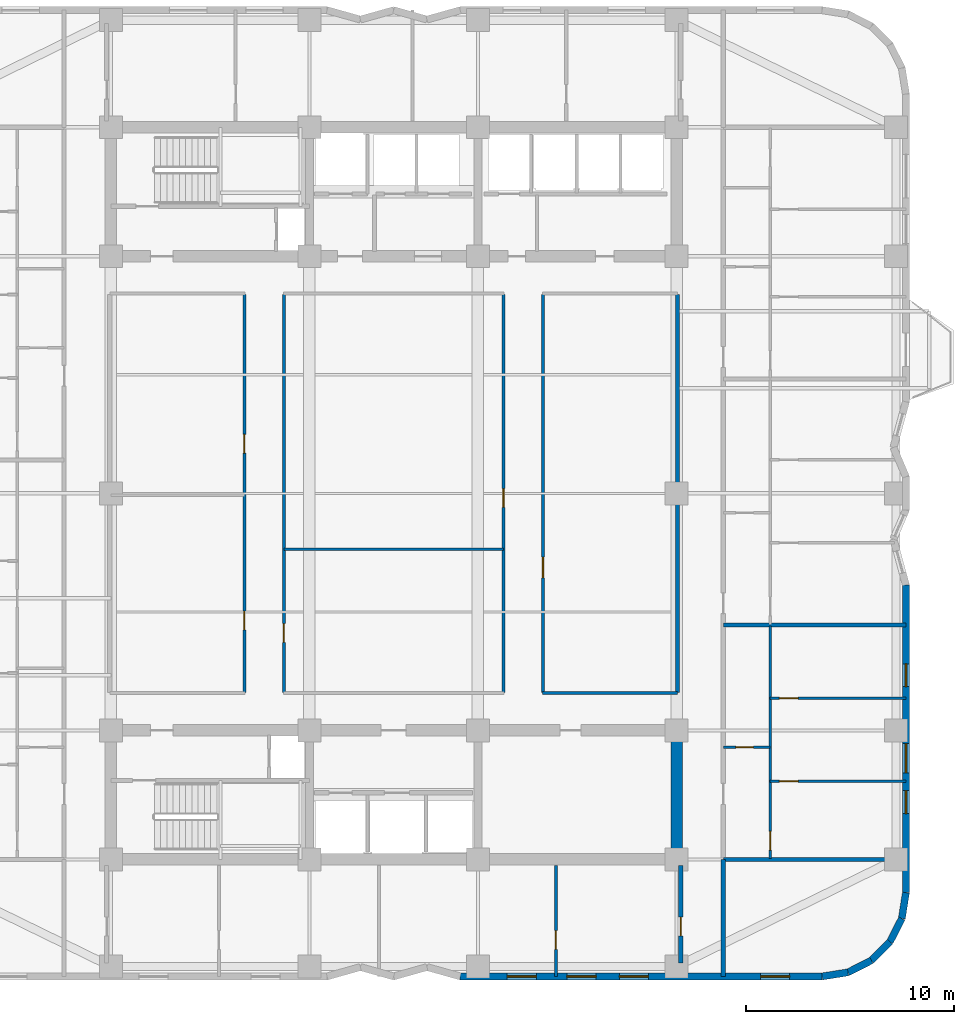
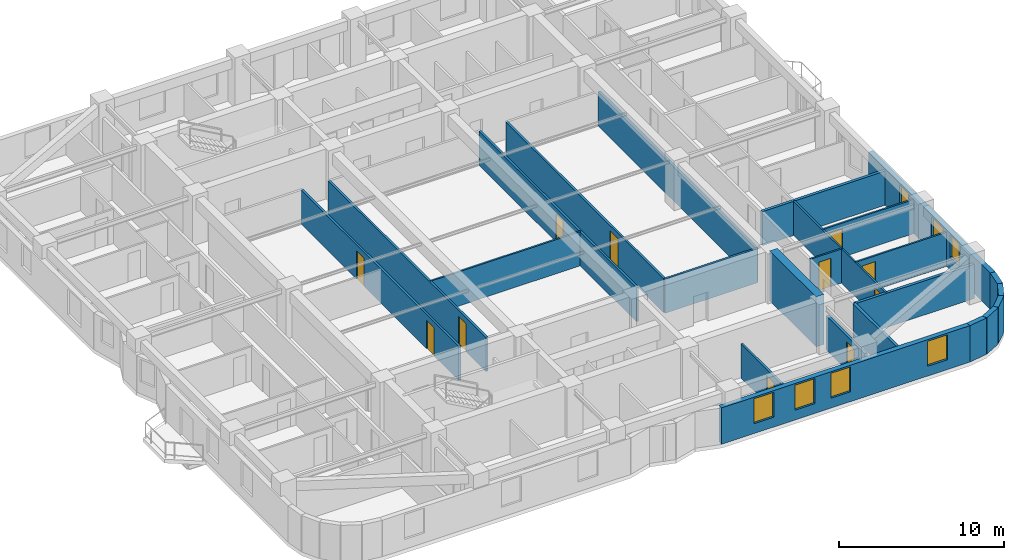
# One storey, part 4 of 9: 24 walls, 11 doors, 7 windows, 18 openings.
"""IFC4 building model written with IfcOpenShell, lengths in metres."""

from ifc_helpers import new_model, si_unit, direction, frame, frame_2d, origin, place, context, subcontext, project, spatial, rectangle, extrude, material, layer, layer_set, type_object, element, fill, save


model = new_model("IFC4")

# Units and contexts
model_context = context("Model", 3, precision=1e-05, world=origin(), true_north=direction((0.0, 1.0)))
body_context = subcontext(model_context, "Body", "Model", "MODEL_VIEW")
ifc_project = project(units=[si_unit("LENGTHUNIT", "METRE"), si_unit("AREAUNIT", "SQUARE_METRE"), si_unit("VOLUMEUNIT", "CUBIC_METRE"), si_unit("PLANEANGLEUNIT", "RADIAN"), si_unit("MASSUNIT", "GRAM", prefix="KILO")], contexts=[model_context])

# Site, building, storey
site_placement = place(None, origin())
site = spatial("IfcSite", under=ifc_project, at=site_placement, CompositionType="ELEMENT")
building_placement = place(site_placement, origin())
building = spatial("IfcBuilding", under=site, at=building_placement, Name="Svetorya Sky Lyceum", CompositionType="ELEMENT")
storey_placement = place(building_placement, frame((0.0, 0.0, 92.0)))
storey = spatial("IfcBuildingStorey", under=building, at=storey_placement, Name="L22", CompositionType="ELEMENT", Elevation=92.0)

# Wall
ifc_material_1 = material(Name="Concrete C60/75", Category="concrete")
ifc_layer_1 = layer(ifc_material_1, 0.550048828125)
ifc_layer_set_1 = layer_set([ifc_layer_1], Name="Concrete C60/75")
wall_type_1 = type_object("IfcWallType", Name="WL-CORE-550", PredefinedType="SHEAR", material=ifc_layer_set_1)
wall_1_placement = place(storey_placement, frame((52.800048828125, 10.875, 0.0), z_axis=(0.0, 0.0, 1.0), x_axis=(0.0, 1.0, 0.0)))
element("IfcWall", 1, at=wall_1_placement, inside=storey, type_object=wall_type_1, Name="L22 SC East Core Shear Wall", PredefinedType="SHEAR", context=body_context, shape_type="SweptSolid", body=[
    extrude(rectangle(XDim=5.64990234375, YDim=0.550048828125, at=frame_2d((2.824951171875, 0.0))), origin(), (0.0, 0.0, 1.0), 3.699951171875),
])

# Wall, openings, windows
ifc_material_2 = material(Name="Putilovo limestone rainscreen on autoclaved cellular masonry", Category="masonry")
ifc_layer_2 = layer(ifc_material_2, 0.340087890625)
ifc_layer_set_2 = layer_set([ifc_layer_2], Name="Putilovo limestone rainscreen on autoclaved cellular masonry")
wall_type_2 = type_object("IfcWallType", Name="WL-EXT-340", PredefinedType="SOLIDWALL", material=ifc_layer_set_2)
wall_2_placement = place(storey_placement, frame((42.39990234375, 4.969970703125, 0.0), z_axis=(0.0, 0.0, 1.0), x_axis=(1.0, 0.0, 0.0)))
wall_2 = element("IfcWall", 2, at=wall_2_placement, inside=storey, type_object=wall_type_2, Name="L22 Limestone Exterior Wall 11M", PredefinedType="SOLIDWALL", context=body_context, shape_type="SweptSolid", body=[
    extrude(rectangle(XDim=17.400146484375, YDim=0.340087890625, at=frame_2d((8.7001953125, 0.0))), origin(), (0.0, 0.0, 1.0), 2.699951171875),
])
opening_1_placement = place(wall_2_placement, frame((2.260009765625, 0.0, 0.72998046875)))
opening_1 = element("IfcOpeningElement", 3, at=opening_1_placement, cuts=wall_2, Name="Opening W-R2", PredefinedType="OPENING", context=body_context, shape_type="SweptSolid", body=[
    extrude(rectangle(XDim=1.39990234375, YDim=1.85009765625, at=frame_2d((0.699951171875, 0.925048828125))), frame((0.0, 0.179931640625, 0.0), z_axis=(0.0, -1.0, 0.0), x_axis=(1.0, 0.0, 0.0)), (0.0, 0.0, 1.0), 0.360107421875),
])
opening_2_placement = place(wall_2_placement, frame((5.1298828125, 0.0, 0.72998046875)))
opening_2 = element("IfcOpeningElement", 4, at=opening_2_placement, cuts=wall_2, Name="Opening W-R2", PredefinedType="OPENING", context=body_context, shape_type="SweptSolid", body=[
    extrude(rectangle(XDim=1.39990234375, YDim=1.85009765625, at=frame_2d((0.699951171875, 0.925048828125))), frame((0.0, 0.179931640625, 0.0), z_axis=(0.0, -1.0, 0.0), x_axis=(1.0, 0.0, 0.0)), (0.0, 0.0, 1.0), 0.360107421875),
])
opening_3_placement = place(wall_2_placement, frame((7.64990234375, 0.0, 0.72998046875)))
opening_3 = element("IfcOpeningElement", 5, at=opening_3_placement, cuts=wall_2, Name="Opening W-R2", PredefinedType="OPENING", context=body_context, shape_type="SweptSolid", body=[
    extrude(rectangle(XDim=1.39990234375, YDim=1.85009765625, at=frame_2d((0.699951171875, 0.925048828125))), frame((0.0, 0.179931640625, 0.0), z_axis=(0.0, -1.0, 0.0), x_axis=(1.0, 0.0, 0.0)), (0.0, 0.0, 1.0), 0.360107421875),
])
opening_4_placement = place(wall_2_placement, frame((14.43994140625, 0.0, 0.72998046875)))
opening_4 = element("IfcOpeningElement", 6, at=opening_4_placement, cuts=wall_2, Name="Opening W-R2", PredefinedType="OPENING", context=body_context, shape_type="SweptSolid", body=[
    extrude(rectangle(XDim=1.39990234375, YDim=1.85009765625, at=frame_2d((0.699951171875, 0.925048828125))), frame((0.0, 0.179931640625, 0.0), z_axis=(0.0, -1.0, 0.0), x_axis=(1.0, 0.0, 0.0)), (0.0, 0.0, 1.0), 0.360107421875),
])
ifc_material_3 = material(Name="Thermally broken aluminium frame with triple low-E glazing", Category="aluminium")
window_type_1 = type_object("IfcWindowType", Name="WN-RES-140", PartitioningType="SINGLE_PANEL", PredefinedType="WINDOW", material=ifc_material_3)
window_1_placement = place(opening_1_placement, origin())
window_1 = element("IfcWindow", 7, at=window_1_placement, inside=storey, type_object=window_type_1, Name="L22 Facade Window W-R2.11M.1", OverallHeight=1.85009765625, OverallWidth=1.39990234375, PartitioningType="SINGLE_PANEL", PredefinedType="WINDOW", context=body_context, shape_type="SweptSolid", body=[
    extrude(rectangle(XDim=1.39990234375, YDim=1.85009765625, at=frame_2d((0.699951171875, 0.925048828125))), frame((0.0, 0.030029296875, 0.0), z_axis=(0.0, -1.0, 0.0), x_axis=(1.0, 0.0, 0.0)), (0.0, 0.0, 1.0), 0.06005859375),
])
fill(opening_1, window_1)
window_2_placement = place(opening_2_placement, origin())
window_2 = element("IfcWindow", 8, at=window_2_placement, inside=storey, type_object=window_type_1, Name="L22 Facade Window W-R2.11M.2", OverallHeight=1.85009765625, OverallWidth=1.39990234375, PartitioningType="SINGLE_PANEL", PredefinedType="WINDOW", context=body_context, shape_type="SweptSolid", body=[
    extrude(rectangle(XDim=1.39990234375, YDim=1.85009765625, at=frame_2d((0.699951171875, 0.925048828125))), frame((0.0, 0.030029296875, 0.0), z_axis=(0.0, -1.0, 0.0), x_axis=(1.0, 0.0, 0.0)), (0.0, 0.0, 1.0), 0.06005859375),
])
fill(opening_2, window_2)
window_3_placement = place(opening_3_placement, origin())
window_3 = element("IfcWindow", 9, at=window_3_placement, inside=storey, type_object=window_type_1, Name="L22 Facade Window W-R2.11M.3", OverallHeight=1.85009765625, OverallWidth=1.39990234375, PartitioningType="SINGLE_PANEL", PredefinedType="WINDOW", context=body_context, shape_type="SweptSolid", body=[
    extrude(rectangle(XDim=1.39990234375, YDim=1.85009765625, at=frame_2d((0.699951171875, 0.925048828125))), frame((0.0, 0.030029296875, 0.0), z_axis=(0.0, -1.0, 0.0), x_axis=(1.0, 0.0, 0.0)), (0.0, 0.0, 1.0), 0.06005859375),
])
fill(opening_3, window_3)
window_4_placement = place(opening_4_placement, origin())
window_4 = element("IfcWindow", 10, at=window_4_placement, inside=storey, type_object=window_type_1, Name="L22 Facade Window W-R2.11M.4", OverallHeight=1.85009765625, OverallWidth=1.39990234375, PartitioningType="SINGLE_PANEL", PredefinedType="WINDOW", context=body_context, shape_type="SweptSolid", body=[
    extrude(rectangle(XDim=1.39990234375, YDim=1.85009765625, at=frame_2d((0.699951171875, 0.925048828125))), frame((0.0, 0.030029296875, 0.0), z_axis=(0.0, -1.0, 0.0), x_axis=(1.0, 0.0, 0.0)), (0.0, 0.0, 1.0), 0.06005859375),
])
fill(opening_4, window_4)

# Walls
wall_3_placement = place(storey_placement, frame((59.800048828125, 4.969970703125, 0.0), z_axis=(0.0, 0.0, 1.0), x_axis=(0.987685918112, 0.15644975923, 0.0)))
element("IfcWall", 11, at=wall_3_placement, inside=storey, type_object=wall_type_2, Name="L22 Limestone Exterior Wall 12M", PredefinedType="SOLIDWALL", context=body_context, shape_type="SweptSolid", body=[
    extrude(rectangle(XDim=1.260986328125, YDim=0.340087890625, at=frame_2d((0.63037109375, 0.0))), origin(), (0.0, 0.0, 1.0), 2.699951171875),
])
for number, where, z_axis, x_axis, name in (
    (12, (61.04541015625, 5.167236328125, 0.0), (0.0, 0.0, 1.0), (0.890953769915, 0.454094020963, 0.0), "L22 Limestone Exterior Wall 13M"),
    (13, (62.168701171875, 5.73974609375, 0.0), (0.0, 0.0, 1.0), (0.707203598708, 0.707009950407, 0.0), "L22 Limestone Exterior Wall 14M"),
):
    element("IfcWall", number, at=place(storey_placement, frame(where, z_axis=z_axis, x_axis=x_axis)), inside=storey, type_object=wall_type_2, Name=name, PredefinedType="SOLIDWALL", context=body_context, shape_type="SweptSolid", body=[
        extrude(rectangle(XDim=1.2607421875, YDim=0.340087890625, at=frame_2d((0.63037109375, 0.0))), origin(), (0.0, 0.0, 1.0), 2.699951171875),
    ])
for number, where, z_axis, x_axis, name in (
    (14, (63.060302734375, 6.631103515625, 0.0), (0.0, 0.0, 1.0), (0.454015689056, 0.890993689142, 0.0), "L22 Limestone Exterior Wall 15M"),
    (15, (63.6328125, 7.754638671875, 0.0), (0.0, 0.0, 1.0), (0.15644975923, 0.987685918112, 0.0), "L22 Limestone Exterior Wall 16M"),
):
    element("IfcWall", number, at=place(storey_placement, frame(where, z_axis=z_axis, x_axis=x_axis)), inside=storey, type_object=wall_type_2, Name=name, PredefinedType="SOLIDWALL", context=body_context, shape_type="SweptSolid", body=[
        extrude(rectangle(XDim=1.260986328125, YDim=0.340087890625, at=frame_2d((0.63037109375, 0.0))), origin(), (0.0, 0.0, 1.0), 2.699951171875),
    ])

# Wall, openings, windows
wall_4_placement = place(storey_placement, frame((63.830078125, 9.0, 0.0), z_axis=(0.0, 0.0, 1.0), x_axis=(0.0, 1.0, 0.0)))
wall_4 = element("IfcWall", 16, at=wall_4_placement, inside=storey, type_object=wall_type_2, Name="L22 Limestone Exterior Wall 17M", PredefinedType="SOLIDWALL", context=body_context, shape_type="SweptSolid", body=[
    extrude(rectangle(XDim=14.800048828125, YDim=0.340087890625, at=frame_2d((7.39990234375, 0.0))), origin(), (0.0, 0.0, 1.0), 2.699951171875),
])
opening_5_placement = place(wall_4_placement, frame((3.800048828125, 0.0, 0.929931640625)))
opening_5 = element("IfcOpeningElement", 17, at=opening_5_placement, cuts=wall_4, Name="Opening W-R3", PredefinedType="OPENING", context=body_context, shape_type="SweptSolid", body=[
    extrude(rectangle(XDim=1.10009765625, YDim=1.64990234375, at=frame_2d((0.550048828125, 0.824951171875))), frame((0.0, 0.179931640625, 0.0), z_axis=(0.0, -1.0, 0.0), x_axis=(1.0, 0.0, 0.0)), (0.0, 0.0, 1.0), 0.360107421875),
])
opening_6_placement = place(wall_4_placement, frame((5.760009765625, 0.0, 0.68994140625)))
opening_6 = element("IfcOpeningElement", 18, at=opening_6_placement, cuts=wall_4, Name="Opening W-R2", PredefinedType="OPENING", context=body_context, shape_type="SweptSolid", body=[
    extrude(rectangle(XDim=1.39990234375, YDim=1.85009765625, at=frame_2d((0.699951171875, 0.925048828125))), frame((0.0, 0.179931640625, 0.0), z_axis=(0.0, -1.0, 0.0), x_axis=(1.0, 0.0, 0.0)), (0.0, 0.0, 1.0), 0.360107421875),
])
opening_7_placement = place(wall_4_placement, frame((9.89990234375, 0.0, 0.929931640625)))
opening_7 = element("IfcOpeningElement", 19, at=opening_7_placement, cuts=wall_4, Name="Opening W-R3", PredefinedType="OPENING", context=body_context, shape_type="SweptSolid", body=[
    extrude(rectangle(XDim=1.10009765625, YDim=1.64990234375, at=frame_2d((0.550048828125, 0.824951171875))), frame((0.0, 0.179931640625, 0.0), z_axis=(0.0, -1.0, 0.0), x_axis=(1.0, 0.0, 0.0)), (0.0, 0.0, 1.0), 0.360107421875),
])
window_type_2 = type_object("IfcWindowType", Name="WN-RES-110", PartitioningType="SINGLE_PANEL", PredefinedType="WINDOW", material=ifc_material_3)
window_5_placement = place(opening_5_placement, origin())
window_5 = element("IfcWindow", 20, at=window_5_placement, inside=storey, type_object=window_type_2, Name="L22 Facade Window W-R3.17M.1", OverallHeight=1.64990234375, OverallWidth=1.10009765625, PartitioningType="SINGLE_PANEL", PredefinedType="WINDOW", context=body_context, shape_type="SweptSolid", body=[
    extrude(rectangle(XDim=1.10009765625, YDim=1.64990234375, at=frame_2d((0.550048828125, 0.824951171875))), frame((0.0, 0.030029296875, 0.0), z_axis=(0.0, -1.0, 0.0), x_axis=(1.0, 0.0, 0.0)), (0.0, 0.0, 1.0), 0.06005859375),
])
fill(opening_5, window_5)
window_6_placement = place(opening_7_placement, origin())
window_6 = element("IfcWindow", 21, at=window_6_placement, inside=storey, type_object=window_type_2, Name="L22 Facade Window W-R3.17M.2", OverallHeight=1.64990234375, OverallWidth=1.10009765625, PartitioningType="SINGLE_PANEL", PredefinedType="WINDOW", context=body_context, shape_type="SweptSolid", body=[
    extrude(rectangle(XDim=1.10009765625, YDim=1.64990234375, at=frame_2d((0.550048828125, 0.824951171875))), frame((0.0, 0.030029296875, 0.0), z_axis=(0.0, -1.0, 0.0), x_axis=(1.0, 0.0, 0.0)), (0.0, 0.0, 1.0), 0.06005859375),
])
fill(opening_7, window_6)
window_7_placement = place(opening_6_placement, origin())
window_7 = element("IfcWindow", 22, at=window_7_placement, inside=storey, type_object=window_type_1, Name="L22 Facade Window W-R2.17M.3", OverallHeight=1.85009765625, OverallWidth=1.39990234375, PartitioningType="SINGLE_PANEL", PredefinedType="WINDOW", context=body_context, shape_type="SweptSolid", body=[
    extrude(rectangle(XDim=1.39990234375, YDim=1.85009765625, at=frame_2d((0.699951171875, 0.925048828125))), frame((0.0, 0.030029296875, 0.0), z_axis=(0.0, -1.0, 0.0), x_axis=(1.0, 0.0, 0.0)), (0.0, 0.0, 1.0), 0.06005859375),
])
fill(opening_6, window_7)

# Wall
ifc_material_4 = material(Name="Twin-stud galvanized framing with double fireboard", Category="gypsum")
ifc_layer_3 = layer(ifc_material_4, 0.1201171875)
ifc_layer_set_3 = layer_set([ifc_layer_3], Name="Twin-stud galvanized framing with double fireboard")
wall_type_3 = type_object("IfcWallType", Name="WL-PART-120", PredefinedType="PARTITIONING", material=ifc_layer_set_3)
wall_5_placement = place(storey_placement, frame((33.919921875, 25.5205078125, 0.0), z_axis=(0.0, 0.0, 1.0), x_axis=(1.0, 0.0, 0.0)))
element("IfcWall", 23, at=wall_5_placement, inside=storey, type_object=wall_type_3, Name="L22 Interior Partition ISL-HMIDE", PredefinedType="PARTITIONING", context=body_context, shape_type="SweptSolid", body=[
    extrude(rectangle(XDim=10.56005859375, YDim=0.1201171875, at=frame_2d((5.280029296875, 0.0))), origin(), (0.0, 0.0, 1.0), 2.530029296875),
])

# Wall, opening, door
wall_6_placement = place(storey_placement, frame((55.050048828125, 16.0, 0.0), z_axis=(0.0, 0.0, 1.0), x_axis=(1.0, 0.0, 0.0)))
wall_6 = element("IfcWall", 24, at=wall_6_placement, inside=storey, type_object=wall_type_3, Name="L22 Interior Partition E1-WH1", PredefinedType="PARTITIONING", context=body_context, shape_type="SweptSolid", body=[
    extrude(rectangle(XDim=2.25, YDim=0.1201171875, at=frame_2d((1.125, 0.0))), origin(), (0.0, 0.0, 1.0), 2.530029296875),
])
opening_8_placement = place(wall_6_placement, frame((0.60009765625, 0.0, 0.0)))
opening_8 = element("IfcOpeningElement", 25, at=opening_8_placement, cuts=wall_6, Name="Opening D-BT1", PredefinedType="OPENING", context=body_context, shape_type="SweptSolid", body=[
    extrude(rectangle(XDim=0.85009765625, YDim=2.10009765625, at=frame_2d((0.425048828125, 1.050048828125))), frame((0.0, 0.070068359375, 0.0), z_axis=(0.0, -1.0, 0.0), x_axis=(1.0, 0.0, 0.0)), (0.0, 0.0, 1.0), 0.14013671875),
])
ifc_material_5 = material(Name="Moisture-resistant laminate bathroom door")
door_type_1 = type_object("IfcDoorType", Name="DR-WET-850", OperationType="SINGLE_SWING_LEFT", PredefinedType="DOOR", material=ifc_material_5)
door_1_placement = place(opening_8_placement, origin())
door_1 = element("IfcDoor", 26, at=door_1_placement, inside=storey, type_object=door_type_1, Name="Apartment E1 Bathroom Door", OperationType="SINGLE_SWING_RIGHT", OverallHeight=2.10009765625, OverallWidth=0.85009765625, PredefinedType="DOOR", context=body_context, shape_type="SweptSolid", body=[
    extrude(rectangle(XDim=0.85009765625, YDim=2.10009765625, at=frame_2d((0.425048828125, 1.050048828125))), frame((0.0, 0.02490234375, 0.0), z_axis=(0.0, -1.0, 0.0), x_axis=(1.0, 0.0, 0.0)), (0.0, 0.0, 1.0), 0.050048828125),
])
fill(opening_8, door_1)

wall_7_placement = place(storey_placement, frame((57.300048828125, 14.35009765625, 0.0), z_axis=(0.0, 0.0, 1.0), x_axis=(1.0, 0.0, 0.0)))
wall_7 = element("IfcWall", 27, at=wall_7_placement, inside=storey, type_object=wall_type_3, Name="L22 Interior Partition E1-WL1", PredefinedType="PARTITIONING", context=body_context, shape_type="SweptSolid", body=[
    extrude(rectangle(XDim=6.530029296875, YDim=0.1201171875, at=frame_2d((3.26513671875, 0.0))), origin(), (0.0, 0.0, 1.0), 2.530029296875),
])
opening_9_placement = place(wall_7_placement, frame((0.449951171875, 0.0, 0.0)))
opening_9 = element("IfcOpeningElement", 28, at=opening_9_placement, cuts=wall_7, Name="Opening D-RM1", PredefinedType="OPENING", context=body_context, shape_type="SweptSolid", body=[
    extrude(rectangle(XDim=0.89990234375, YDim=2.10009765625, at=frame_2d((0.449951171875, 1.050048828125))), frame((0.0, 0.070068359375, 0.0), z_axis=(0.0, -1.0, 0.0), x_axis=(1.0, 0.0, 0.0)), (0.0, 0.0, 1.0), 0.14013671875),
])
ifc_material_6 = material(Name="Lacquered birch veneer internal door")
door_type_2 = type_object("IfcDoorType", Name="DR-INT-900", OperationType="SINGLE_SWING_LEFT", PredefinedType="DOOR", material=ifc_material_6)
door_2_placement = place(opening_9_placement, origin())
door_2 = element("IfcDoor", 29, at=door_2_placement, inside=storey, type_object=door_type_2, Name="Apartment E1 Master Bedroom Door", OperationType="SINGLE_SWING_RIGHT", OverallHeight=2.10009765625, OverallWidth=0.89990234375, PredefinedType="DOOR", context=body_context, shape_type="SweptSolid", body=[
    extrude(rectangle(XDim=0.89990234375, YDim=2.10009765625, at=frame_2d((0.449951171875, 1.050048828125))), frame((0.0, 0.02490234375, 0.0), z_axis=(0.0, -1.0, 0.0), x_axis=(1.0, 0.0, 0.0)), (0.0, 0.0, 1.0), 0.050048828125),
])
fill(opening_9, door_2)

wall_8_placement = place(storey_placement, frame((57.300048828125, 18.35009765625, 0.0), z_axis=(0.0, 0.0, 1.0), x_axis=(1.0, 0.0, 0.0)))
wall_8 = element("IfcWall", 30, at=wall_8_placement, inside=storey, type_object=wall_type_3, Name="L22 Interior Partition E1-WL2", PredefinedType="PARTITIONING", context=body_context, shape_type="SweptSolid", body=[
    extrude(rectangle(XDim=6.530029296875, YDim=0.1201171875, at=frame_2d((3.26513671875, 0.0))), origin(), (0.0, 0.0, 1.0), 2.530029296875),
])
opening_10_placement = place(wall_8_placement, frame((0.449951171875, 0.0, 0.0)))
opening_10 = element("IfcOpeningElement", 31, at=opening_10_placement, cuts=wall_8, Name="Opening D-RM1", PredefinedType="OPENING", context=body_context, shape_type="SweptSolid", body=[
    extrude(rectangle(XDim=0.89990234375, YDim=2.10009765625, at=frame_2d((0.449951171875, 1.050048828125))), frame((0.0, 0.070068359375, 0.0), z_axis=(0.0, -1.0, 0.0), x_axis=(1.0, 0.0, 0.0)), (0.0, 0.0, 1.0), 0.14013671875),
])
door_3_placement = place(opening_10_placement, origin())
door_3 = element("IfcDoor", 32, at=door_3_placement, inside=storey, type_object=door_type_2, Name="Apartment E1 Bedroom 2 Door", OperationType="SINGLE_SWING_LEFT", OverallHeight=2.10009765625, OverallWidth=0.89990234375, PredefinedType="DOOR", context=body_context, shape_type="SweptSolid", body=[
    extrude(rectangle(XDim=0.89990234375, YDim=2.10009765625, at=frame_2d((0.449951171875, 1.050048828125))), frame((0.0, 0.02490234375, 0.0), z_axis=(0.0, -1.0, 0.0), x_axis=(1.0, 0.0, 0.0)), (0.0, 0.0, 1.0), 0.050048828125),
])
fill(opening_10, door_3)

wall_9_placement = place(storey_placement, frame((57.300048828125, 10.639892578125, 0.0), z_axis=(0.0, 0.0, 1.0), x_axis=(0.0, 1.0, 0.0)))
wall_9 = element("IfcWall", 33, at=wall_9_placement, inside=storey, type_object=wall_type_3, Name="L22 Interior Partition E1-WV", PredefinedType="PARTITIONING", context=body_context, shape_type="SweptSolid", body=[
    extrude(rectangle(XDim=11.18408203125, YDim=0.1201171875, at=frame_2d((5.592041015625, 0.0))), origin(), (0.0, 0.0, 1.0), 2.530029296875),
])
opening_11_placement = place(wall_9_placement, frame((0.409912109375, 0.0, 0.0)))
opening_11 = element("IfcOpeningElement", 34, at=opening_11_placement, cuts=wall_9, Name="Opening D-RM1", PredefinedType="OPENING", context=body_context, shape_type="SweptSolid", body=[
    extrude(rectangle(XDim=0.89990234375, YDim=2.10009765625, at=frame_2d((0.449951171875, 1.050048828125))), frame((0.0, 0.070068359375, 0.0), z_axis=(0.0, -1.0, 0.0), x_axis=(1.0, 0.0, 0.0)), (0.0, 0.0, 1.0), 0.14013671875),
])
door_4_placement = place(opening_11_placement, origin())
door_4 = element("IfcDoor", 35, at=door_4_placement, inside=storey, type_object=door_type_2, Name="Apartment E1 Living Door", OperationType="SINGLE_SWING_LEFT", OverallHeight=2.10009765625, OverallWidth=0.89990234375, PredefinedType="DOOR", context=body_context, shape_type="SweptSolid", body=[
    extrude(rectangle(XDim=0.89990234375, YDim=2.10009765625, at=frame_2d((0.449951171875, 1.050048828125))), frame((0.0, 0.02490234375, 0.0), z_axis=(0.0, -1.0, 0.0), x_axis=(1.0, 0.0, 0.0)), (0.0, 0.0, 1.0), 0.050048828125),
])
fill(opening_11, door_4)

# Wall
ifc_material_7 = material(Name="Autoclaved cellular masonry blockwork with acoustic render", Category="masonry")
ifc_layer_4 = layer(ifc_material_7, 0.14990234375)
ifc_layer_set_4 = layer_set([ifc_layer_4], Name="Autoclaved cellular masonry blockwork with acoustic render")
wall_type_4 = type_object("IfcWallType", Name="WL-PART-150", PredefinedType="PARTITIONING", material=ifc_layer_set_4)
wall_10_placement = place(storey_placement, frame((46.35009765625, 18.60009765625, 0.0), z_axis=(0.0, 0.0, 1.0), x_axis=(1.0, 0.0, 0.0)))
element("IfcWall", 36, at=wall_10_placement, inside=storey, type_object=wall_type_4, Name="L22 Interior Partition RL-CS-E", PredefinedType="PARTITIONING", context=body_context, shape_type="SweptSolid", body=[
    extrude(rectangle(XDim=6.5, YDim=0.14990234375, at=frame_2d((3.25, 0.0))), origin(), (0.0, 0.0, 1.0), 2.530029296875),
])

# Wall, openings, doors
wall_11_placement = place(storey_placement, frame((32.02001953125, 18.6298828125, 0.0), z_axis=(0.0, 0.0, 1.0), x_axis=(0.0, 1.0, 0.0)))
wall_11 = element("IfcWall", 37, at=wall_11_placement, inside=storey, type_object=wall_type_4, Name="L22 Interior Partition ISL-WW", PredefinedType="PARTITIONING", context=body_context, shape_type="SweptSolid", body=[
    extrude(rectangle(XDim=19.14013671875, YDim=0.14990234375, at=frame_2d((9.570068359375, 0.0))), origin(), (0.0, 0.0, 1.0), 2.530029296875),
])
opening_12_placement = place(wall_11_placement, frame((3.0, 0.0, 0.0)))
opening_12 = element("IfcOpeningElement", 38, at=opening_12_placement, cuts=wall_11, Name="Opening D-RM1", PredefinedType="OPENING", context=body_context, shape_type="SweptSolid", body=[
    extrude(rectangle(XDim=0.89990234375, YDim=2.10009765625, at=frame_2d((0.449951171875, 1.050048828125))), frame((0.0, 0.0849609375, 0.0), z_axis=(0.0, -1.0, 0.0), x_axis=(1.0, 0.0, 0.0)), (0.0, 0.0, 1.0), 0.169921875),
])
opening_13_placement = place(wall_11_placement, frame((11.5, 0.0, 0.0)))
opening_13 = element("IfcOpeningElement", 39, at=opening_13_placement, cuts=wall_11, Name="Opening D-RM1", PredefinedType="OPENING", context=body_context, shape_type="SweptSolid", body=[
    extrude(rectangle(XDim=0.89990234375, YDim=2.10009765625, at=frame_2d((0.449951171875, 1.050048828125))), frame((0.0, 0.0849609375, 0.0), z_axis=(0.0, -1.0, 0.0), x_axis=(1.0, 0.0, 0.0)), (0.0, 0.0, 1.0), 0.169921875),
])
door_5_placement = place(opening_12_placement, origin())
door_5 = element("IfcDoor", 40, at=door_5_placement, inside=storey, type_object=door_type_2, Name="L22 Reading Door", OperationType="SINGLE_SWING_RIGHT", OverallHeight=2.10009765625, OverallWidth=0.89990234375, PredefinedType="DOOR", context=body_context, shape_type="SweptSolid", body=[
    extrude(rectangle(XDim=0.89990234375, YDim=2.10009765625, at=frame_2d((0.449951171875, 1.050048828125))), frame((0.0, 0.02490234375, 0.0), z_axis=(0.0, -1.0, 0.0), x_axis=(1.0, 0.0, 0.0)), (0.0, 0.0, 1.0), 0.050048828125),
])
fill(opening_12, door_5)
door_6_placement = place(opening_13_placement, origin())
door_6 = element("IfcDoor", 41, at=door_6_placement, inside=storey, type_object=door_type_2, Name="L22 Music Door", OperationType="SINGLE_SWING_LEFT", OverallHeight=2.10009765625, OverallWidth=0.89990234375, PredefinedType="DOOR", context=body_context, shape_type="SweptSolid", body=[
    extrude(rectangle(XDim=0.89990234375, YDim=2.10009765625, at=frame_2d((0.449951171875, 1.050048828125))), frame((0.0, 0.02490234375, 0.0), z_axis=(0.0, -1.0, 0.0), x_axis=(1.0, 0.0, 0.0)), (0.0, 0.0, 1.0), 0.050048828125),
])
fill(opening_13, door_6)

# Wall, opening, door
wall_12_placement = place(storey_placement, frame((33.919921875, 18.6298828125, 0.0), z_axis=(0.0, 0.0, 1.0), x_axis=(0.0, 1.0, 0.0)))
wall_12 = element("IfcWall", 42, at=wall_12_placement, inside=storey, type_object=wall_type_4, Name="L22 Interior Partition ISL-WE", PredefinedType="PARTITIONING", context=body_context, shape_type="SweptSolid", body=[
    extrude(rectangle(XDim=19.14013671875, YDim=0.14990234375, at=frame_2d((9.570068359375, 0.0))), origin(), (0.0, 0.0, 1.0), 2.530029296875),
])
opening_14_placement = place(wall_12_placement, frame((2.39990234375, 0.0, 0.0)))
opening_14 = element("IfcOpeningElement", 43, at=opening_14_placement, cuts=wall_12, Name="Opening D-RM1", PredefinedType="OPENING", context=body_context, shape_type="SweptSolid", body=[
    extrude(rectangle(XDim=0.89990234375, YDim=2.10009765625, at=frame_2d((0.449951171875, 1.050048828125))), frame((0.0, 0.0849609375, 0.0), z_axis=(0.0, -1.0, 0.0), x_axis=(1.0, 0.0, 0.0)), (0.0, 0.0, 1.0), 0.169921875),
])
door_7_placement = place(opening_14_placement, origin())
door_7 = element("IfcDoor", 44, at=door_7_placement, inside=storey, type_object=door_type_2, Name="L22 Office Door", OperationType="SINGLE_SWING_LEFT", OverallHeight=2.10009765625, OverallWidth=0.89990234375, PredefinedType="DOOR", context=body_context, shape_type="SweptSolid", body=[
    extrude(rectangle(XDim=0.89990234375, YDim=2.10009765625, at=frame_2d((0.449951171875, 1.050048828125))), frame((0.0, 0.02490234375, 0.0), z_axis=(0.0, -1.0, 0.0), x_axis=(1.0, 0.0, 0.0)), (0.0, 0.0, 1.0), 0.050048828125),
])
fill(opening_14, door_7)

wall_13_placement = place(storey_placement, frame((44.47998046875, 18.6298828125, 0.0), z_axis=(0.0, 0.0, 1.0), x_axis=(0.0, 1.0, 0.0)))
wall_13 = element("IfcWall", 45, at=wall_13_placement, inside=storey, type_object=wall_type_4, Name="L22 Interior Partition ISL-EW", PredefinedType="PARTITIONING", context=body_context, shape_type="SweptSolid", body=[
    extrude(rectangle(XDim=19.14013671875, YDim=0.14990234375, at=frame_2d((9.570068359375, 0.0))), origin(), (0.0, 0.0, 1.0), 2.530029296875),
])
opening_15_placement = place(wall_13_placement, frame((8.890380859375, 0.0, 0.0)))
opening_15 = element("IfcOpeningElement", 46, at=opening_15_placement, cuts=wall_13, Name="Opening D-RM1", PredefinedType="OPENING", context=body_context, shape_type="SweptSolid", body=[
    extrude(rectangle(XDim=0.89990234375, YDim=2.10009765625, at=frame_2d((0.449951171875, 1.050048828125))), frame((0.0, 0.0849609375, 0.0), z_axis=(0.0, -1.0, 0.0), x_axis=(1.0, 0.0, 0.0)), (0.0, 0.0, 1.0), 0.169921875),
])
door_8_placement = place(opening_15_placement, origin())
door_8 = element("IfcDoor", 47, at=door_8_placement, inside=storey, type_object=door_type_2, Name="L22 Meeting Door", OperationType="SINGLE_SWING_RIGHT", OverallHeight=2.10009765625, OverallWidth=0.89990234375, PredefinedType="DOOR", context=body_context, shape_type="SweptSolid", body=[
    extrude(rectangle(XDim=0.89990234375, YDim=2.10009765625, at=frame_2d((0.449951171875, 1.050048828125))), frame((0.0, 0.02490234375, 0.0), z_axis=(0.0, -1.0, 0.0), x_axis=(1.0, 0.0, 0.0)), (0.0, 0.0, 1.0), 0.050048828125),
])
fill(opening_15, door_8)

wall_14_placement = place(storey_placement, frame((46.3798828125, 18.6298828125, 0.0), z_axis=(0.0, 0.0, 1.0), x_axis=(0.0, 1.0, 0.0)))
wall_14 = element("IfcWall", 48, at=wall_14_placement, inside=storey, type_object=wall_type_4, Name="L22 Interior Partition ISL-EE", PredefinedType="PARTITIONING", context=body_context, shape_type="SweptSolid", body=[
    extrude(rectangle(XDim=19.14013671875, YDim=0.14990234375, at=frame_2d((9.570068359375, 0.0))), origin(), (0.0, 0.0, 1.0), 2.530029296875),
])
opening_16_placement = place(wall_14_placement, frame((5.5, 0.0, 0.0)))
opening_16 = element("IfcOpeningElement", 49, at=opening_16_placement, cuts=wall_14, Name="Opening D-RM2", PredefinedType="OPENING", context=body_context, shape_type="SweptSolid", body=[
    extrude(rectangle(XDim=1.0, YDim=2.14990234375, at=frame_2d((0.5, 1.074951171875))), frame((0.0, 0.0849609375, 0.0), z_axis=(0.0, -1.0, 0.0), x_axis=(1.0, 0.0, 0.0)), (0.0, 0.0, 1.0), 0.169921875),
])
ifc_material_8 = material(Name="Solid-core oak acoustic room door")
door_type_3 = type_object("IfcDoorType", Name="DR-INT-1000", OperationType="SINGLE_SWING_LEFT", PredefinedType="DOOR", material=ifc_material_8)
door_9_placement = place(opening_16_placement, origin())
door_9 = element("IfcDoor", 50, at=door_9_placement, inside=storey, type_object=door_type_3, Name="L22 East Seminar Door", OperationType="SINGLE_SWING_LEFT", OverallHeight=2.14990234375, OverallWidth=1.0, PredefinedType="DOOR", context=body_context, shape_type="SweptSolid", body=[
    extrude(rectangle(XDim=1.0, YDim=2.14990234375, at=frame_2d((0.5, 1.074951171875))), frame((0.0, 0.02490234375, 0.0), z_axis=(0.0, -1.0, 0.0), x_axis=(1.0, 0.0, 0.0)), (0.0, 0.0, 1.0), 0.050048828125),
])
fill(opening_16, door_9)

wall_15_placement = place(storey_placement, frame((47.0, 4.969970703125, 0.0), z_axis=(0.0, 0.0, 1.0), x_axis=(0.0, 1.0, 0.0)))
wall_15 = element("IfcWall", 51, at=wall_15_placement, inside=storey, type_object=wall_type_4, Name="L22 Interior Partition S4-D3", PredefinedType="PARTITIONING", context=body_context, shape_type="SweptSolid", body=[
    extrude(rectangle(XDim=5.330078125, YDim=0.14990234375, at=frame_2d((2.6650390625, 0.0))), origin(), (0.0, 0.0, 1.0), 2.530029296875),
])
opening_17_placement = place(wall_15_placement, frame((1.300048828125, 0.0, 0.0)))
opening_17 = element("IfcOpeningElement", 52, at=opening_17_placement, cuts=wall_15, Name="Opening D-RM1", PredefinedType="OPENING", context=body_context, shape_type="SweptSolid", body=[
    extrude(rectangle(XDim=0.89990234375, YDim=2.10009765625, at=frame_2d((0.449951171875, 1.050048828125))), frame((0.0, 0.0849609375, 0.0), z_axis=(0.0, -1.0, 0.0), x_axis=(1.0, 0.0, 0.0)), (0.0, 0.0, 1.0), 0.169921875),
])
door_10_placement = place(opening_17_placement, origin())
door_10 = element("IfcDoor", 53, at=door_10_placement, inside=storey, type_object=door_type_2, Name="L22 South Suite Door 3", OperationType="SINGLE_SWING_LEFT", OverallHeight=2.10009765625, OverallWidth=0.89990234375, PredefinedType="DOOR", context=body_context, shape_type="SweptSolid", body=[
    extrude(rectangle(XDim=0.89990234375, YDim=2.10009765625, at=frame_2d((0.449951171875, 1.050048828125))), frame((0.0, 0.02490234375, 0.0), z_axis=(0.0, -1.0, 0.0), x_axis=(1.0, 0.0, 0.0)), (0.0, 0.0, 1.0), 0.050048828125),
])
fill(opening_17, door_10)

# Walls
ifc_material_9 = material(Name="Autoclaved cellular masonry blockwork with gypsum plaster", Category="masonry")
ifc_layer_5 = layer(ifc_material_9, 0.199951171875)
ifc_layer_set_5 = layer_set([ifc_layer_5], Name="Autoclaved cellular masonry blockwork with gypsum plaster")
wall_type_5 = type_object("IfcWallType", Name="WL-PART-200", PredefinedType="PARTITIONING", material=ifc_layer_set_5)
wall_16_placement = place(storey_placement, frame((52.85009765625, 18.6298828125, 0.0), z_axis=(0.0, 0.0, 1.0), x_axis=(0.0, 1.0, 0.0)))
element("IfcWall", 54, at=wall_16_placement, inside=storey, type_object=wall_type_5, Name="L22 Interior Partition E-CEN-SEP", PredefinedType="PARTITIONING", context=body_context, shape_type="SweptSolid", body=[
    extrude(rectangle(XDim=19.14013671875, YDim=0.199951171875, at=frame_2d((9.570068359375, 0.0))), origin(), (0.0, 0.0, 1.0), 2.530029296875),
])
wall_17_placement = place(storey_placement, frame((55.050048828125, 21.864013671875, 0.0), z_axis=(0.0, 0.0, 1.0), x_axis=(1.0, 0.0, 0.0)))
element("IfcWall", 55, at=wall_17_placement, inside=storey, type_object=wall_type_5, Name="L22 Interior Partition E-PARTY-1", PredefinedType="PARTITIONING", context=body_context, shape_type="SweptSolid", body=[
    extrude(rectangle(XDim=8.780029296875, YDim=0.199951171875, at=frame_2d((4.39013671875, 0.0))), origin(), (0.0, 0.0, 1.0), 2.530029296875),
])
wall_18_placement = place(storey_placement, frame((55.050048828125, 10.60009765625, 0.0), z_axis=(0.0, 0.0, 1.0), x_axis=(1.0, 0.0, 0.0)))
element("IfcWall", 56, at=wall_18_placement, inside=storey, type_object=wall_type_5, Name="L22 Interior Partition E-CAP-S", PredefinedType="PARTITIONING", context=body_context, shape_type="SweptSolid", body=[
    extrude(rectangle(XDim=8.35986328125, YDim=0.199951171875, at=frame_2d((4.179931640625, 0.0))), origin(), (0.0, 0.0, 1.0), 2.530029296875),
])
wall_19_placement = place(storey_placement, frame((55.050048828125, 4.969970703125, 0.0), z_axis=(0.0, 0.0, 1.0), x_axis=(0.0, 1.0, 0.0)))
element("IfcWall", 57, at=wall_19_placement, inside=storey, type_object=wall_type_5, Name="L22 Interior Partition EC-SE-END", PredefinedType="PARTITIONING", context=body_context, shape_type="SweptSolid", body=[
    extrude(rectangle(XDim=5.630126953125, YDim=0.199951171875, at=frame_2d((2.81494140625, 0.0))), origin(), (0.0, 0.0, 1.0), 2.530029296875),
])

# Wall, opening, door
wall_20_placement = place(storey_placement, frame((53.0, 5.6201171875, 0.0), z_axis=(0.0, 0.0, 1.0), x_axis=(0.0, 1.0, 0.0)))
wall_20 = element("IfcWall", 58, at=wall_20_placement, inside=storey, type_object=wall_type_5, Name="L22 Interior Partition S4-EE", PredefinedType="PARTITIONING", context=body_context, shape_type="SweptSolid", body=[
    extrude(rectangle(XDim=4.679931640625, YDim=0.199951171875, at=frame_2d((2.33984375, 0.0))), origin(), (0.0, 0.0, 1.0), 2.530029296875),
])
opening_18_placement = place(wall_20_placement, frame((1.300048828125, 0.0, 0.0)))
opening_18 = element("IfcOpeningElement", 59, at=opening_18_placement, cuts=wall_20, Name="Opening D-RM1", PredefinedType="OPENING", context=body_context, shape_type="SweptSolid", body=[
    extrude(rectangle(XDim=0.89990234375, YDim=2.10009765625, at=frame_2d((0.449951171875, 1.050048828125))), frame((0.0, 0.10986328125, 0.0), z_axis=(0.0, -1.0, 0.0), x_axis=(1.0, 0.0, 0.0)), (0.0, 0.0, 1.0), 0.219970703125),
])
door_11_placement = place(opening_18_placement, origin())
door_11 = element("IfcDoor", 60, at=door_11_placement, inside=storey, type_object=door_type_2, Name="L22 SE Meeting Door", OperationType="SINGLE_SWING_RIGHT", OverallHeight=2.10009765625, OverallWidth=0.89990234375, PredefinedType="DOOR", context=body_context, shape_type="SweptSolid", body=[
    extrude(rectangle(XDim=0.89990234375, YDim=2.10009765625, at=frame_2d((0.449951171875, 1.050048828125))), frame((0.0, 0.02490234375, 0.0), z_axis=(0.0, -1.0, 0.0), x_axis=(1.0, 0.0, 0.0)), (0.0, 0.0, 1.0), 0.050048828125),
])
fill(opening_18, door_11)

save(model, "model.ifc")
